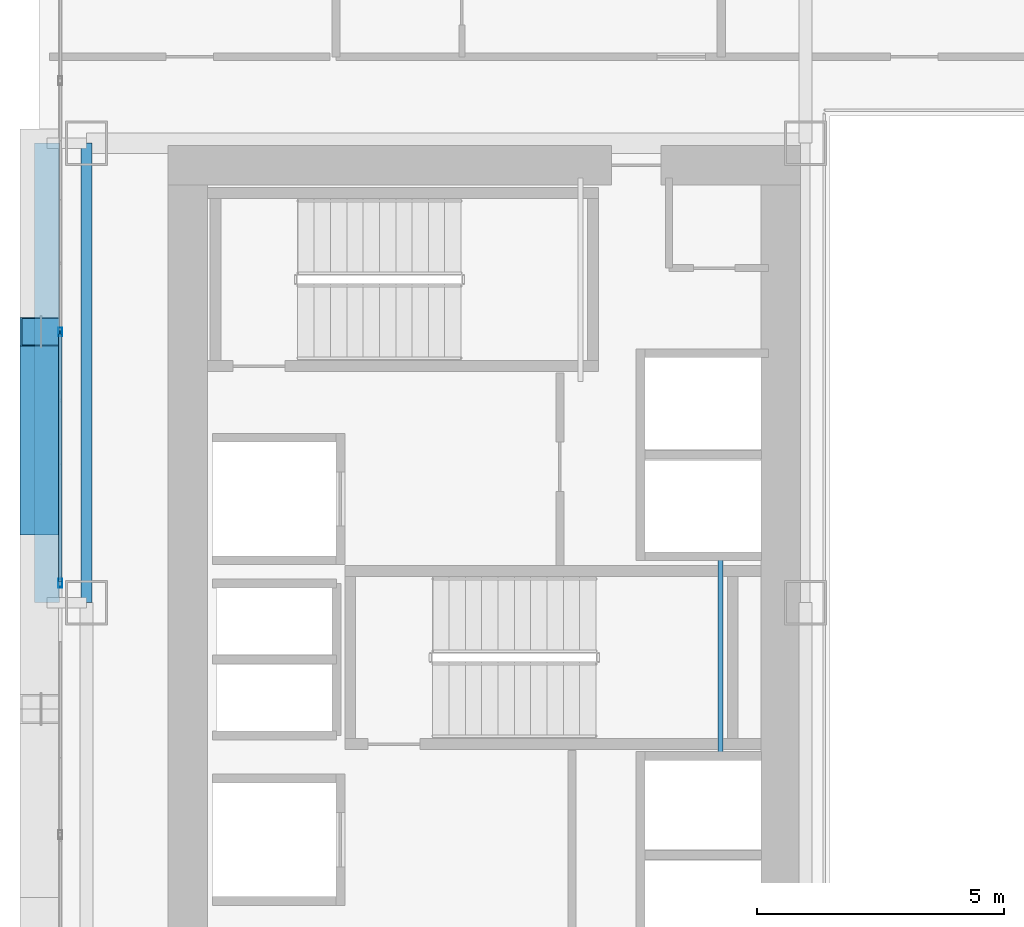
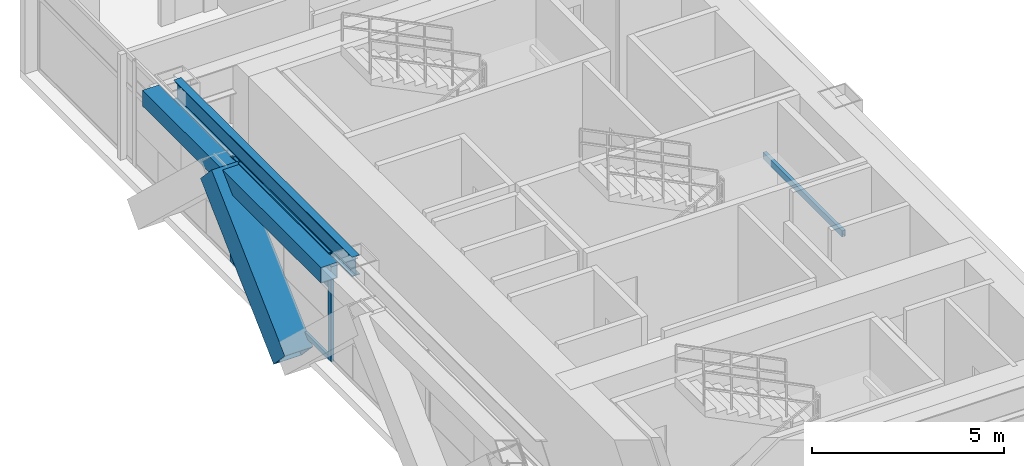
# One storey, part 8 of 35: 6 members, 3 beams, 1 element without a shape of its own.
"""IFC4 building model written with IfcOpenShell, lengths in metres."""

from ifc_helpers import new_model, si_unit, direction, frame, origin, origin_2d, place, context, subcontext, project, spatial, hollow_rectangle, i_section, extrude, source, transform, mapped, material, layer, layer_set, material_profile, profile_set, type_object, element, aggregate, save


model = new_model("IFC4")

# Units and contexts
model_context = context("Model", 3, precision=1e-05, world=origin(), true_north=direction((0.0, 1.0)))
body_context = subcontext(model_context, "Body", "Model", "MODEL_VIEW")
ifc_project = project(units=[si_unit("LENGTHUNIT", "METRE"), si_unit("AREAUNIT", "SQUARE_METRE"), si_unit("VOLUMEUNIT", "CUBIC_METRE"), si_unit("PLANEANGLEUNIT", "RADIAN"), si_unit("MASSUNIT", "GRAM", prefix="KILO")], contexts=[model_context])

# Site, building, storey
site_placement = place(None, origin())
site = spatial("IfcSite", under=ifc_project, at=site_placement, CompositionType="ELEMENT")
building_placement = place(site_placement, origin())
building = spatial("IfcBuilding", under=site, at=building_placement, Name="Ocotamira Hotel", CompositionType="ELEMENT")
storey_placement = place(building_placement, frame((0.0, 0.0, 63.60009765625)))
storey = spatial("IfcBuildingStorey", under=building, at=storey_placement, Name="L15", CompositionType="ELEMENT", Elevation=63.60009765625)

# Beams
ifc_material_1 = material(Name="Steel ASTM A500 Grade C", Category="steel")
ifc_material_profile_1 = material_profile(ifc_material_1, hollow_rectangle(XDim=0.10009765625, YDim=0.199951171875, WallThickness=0.008056640625, at=origin_2d()), Name="HSS200X100X8")
ifc_profile_set_1 = profile_set([ifc_material_profile_1], Name="Steel ASTM A500 Grade C")
beam_type_1 = type_object("IfcBeamType", Name="BM-STLDG-HSS200", PredefinedType="BEAM", material=ifc_profile_set_1)
shared_shape_1 = source(origin(), body_context, "Body", "SweptSolid", [
    extrude(hollow_rectangle(XDim=0.10009765625, YDim=0.199951171875, WallThickness=0.008056640625, at=origin_2d()), origin(), (0.0, 0.0, 1.0), 4.1201171875),
])
beam_1_placement = place(storey_placement, frame((21.780029296875, 24.97998046875, 1.5), z_axis=(0.0, 1.0, 0.0), x_axis=(-1.0, 0.0, 0.0)))
element("IfcBeam", 1, at=beam_1_placement, inside=storey, type_object=beam_type_1, Name="L15 Stair ST-3 Landing Bearer 1", PredefinedType="BEAM", context=body_context, shape_type="MappedRepresentation", body=[
    mapped(shared_shape_1, transform((0.0, 0.0, 0.0), scale=1.0)),
])
ifc_material_2 = material(Name="Steel ASTM A992 Grade 50", Category="steel")
ifc_material_profile_2 = material_profile(ifc_material_2, i_section(OverallWidth=0.22998046875, OverallDepth=0.616943359375, WebThickness=0.01318359375, FlangeThickness=0.022216796875, FilletRadius=0.012939453125, at=origin_2d()), Name="W24X94")
ifc_profile_set_2 = profile_set([ifc_material_profile_2], Name="Steel ASTM A992 Grade 50")
beam_type_2 = type_object("IfcBeamType", Name="BM-PRIM-W24X94", PredefinedType="BEAM", material=ifc_profile_set_2)
shared_shape_2 = source(origin(), body_context, "Body", "SweptSolid", [
    extrude(i_section(OverallWidth=0.22998046875, OverallDepth=0.616943359375, WebThickness=0.01318359375, FlangeThickness=0.022216796875, FilletRadius=0.012939453125, at=origin_2d()), origin(), (0.0, 0.0, 1.0), 9.300048828125),
])
beam_2_placement = place(storey_placement, frame((8.949951171875, 28.14990234375, 3.04150390625), z_axis=(0.0, 1.0, 0.0), x_axis=(-1.0, 0.0, 0.0)))
element("IfcBeam", 2, at=beam_2_placement, inside=storey, type_object=beam_type_2, Name="L15 Beam X8.95 Y28.15-37.45", PredefinedType="BEAM", context=body_context, shape_type="MappedRepresentation", body=[
    mapped(shared_shape_2, transform((0.0, 0.0, 0.0), scale=1.0)),
])
ifc_material_profile_3 = material_profile(ifc_material_1, hollow_rectangle(XDim=0.5, YDim=0.5, WallThickness=0.02001953125, at=origin_2d()), Name="HSS500X500X20")
ifc_profile_set_3 = profile_set([ifc_material_profile_3], Name="Steel ASTM A500 Grade C")
beam_type_3 = type_object("IfcBeamType", Name="BM-SPAN-HSS500", PredefinedType="USERDEFINED", material=ifc_profile_set_3)
shared_shape_3 = source(origin(), body_context, "Body", "SweptSolid", [
    extrude(hollow_rectangle(XDim=0.5, YDim=0.5, WallThickness=0.02001953125, at=origin_2d()), origin(), (0.0, 0.0, 1.0), 9.300048828125),
])
beam_3_placement = place(storey_placement, frame((8.14990234375, 28.14990234375, 3.099853515625), z_axis=(0.0, 1.0, 0.0), x_axis=(-1.0, 0.0, 0.0)))
element("IfcBeam", 3, at=beam_3_placement, inside=storey, type_object=beam_type_3, Name="L15 Edge Spandrel W Y28.15-37.45", ObjectType="SPANDREL", PredefinedType="USERDEFINED", context=body_context, shape_type="MappedRepresentation", body=[
    mapped(shared_shape_3, transform((0.0, 0.0, 0.0), scale=1.0)),
])

# Member
ifc_material_3 = material(Name="Pale-metal coated steel ASTM A913 Grade 65", Category="steel")
ifc_material_profile_4 = material_profile(ifc_material_3, hollow_rectangle(XDim=0.85009765625, YDim=0.85009765625, WallThickness=0.035888671875, at=origin_2d()), Name="BOX850X850X36")
ifc_profile_set_4 = profile_set([ifc_material_profile_4], Name="Pale-metal coated steel ASTM A913 Grade 65")
member_type_1 = type_object("IfcMemberType", Name="MEM-EXO-BOX850", PredefinedType="BRACE", material=ifc_profile_set_4)
shared_shape_4 = source(origin(), body_context, "Body", "SweptSolid", [
    extrude(hollow_rectangle(XDim=0.85009765625, YDim=0.85009765625, WallThickness=0.035888671875, at=origin_2d()), origin(), (0.0, 0.0, 1.0), 5.24658203125),
])
member_1_placement = place(storey_placement, frame((8.030029296875, 29.816650390625, -0.5), z_axis=(0.0, 0.72746596067, 0.686143772154), x_axis=(-1.0, 0.0, 0.0)))
element("IfcMember", 4, at=member_1_placement, inside=storey, type_object=member_type_1, Name="L15 Exoskeleton Diagrid W2.1", PredefinedType="BRACE", context=body_context, shape_type="MappedRepresentation", body=[
    mapped(shared_shape_4, transform((0.0, 0.0, 0.0), scale=1.0)),
])

# Curtain wall, members
ifc_material_4 = material(Name="Anodised pale-metal aluminium and solar glass", Category="aluminium")
ifc_layer = layer(ifc_material_4, 0.179931640625)
ifc_layer_set = layer_set([ifc_layer], Name="Anodised pale-metal aluminium and solar glass")
curtain_wall_type = type_object("IfcCurtainWallType", Name="CW-SYS2-Z1", PredefinedType="NOTDEFINED", material=ifc_layer_set)
curtain_wall_placement = place(storey_placement, origin())
curtain_wall = element("IfcCurtainWall", 5, at=curtain_wall_placement, inside=storey, type_object=curtain_wall_type, Name="L15 Curtain Wall CW-2 CW-L15-W", PredefinedType="NOTDEFINED")
ifc_material_5 = material(Name="Anodised pale-metal aluminium 6063-T6", Category="aluminium")
ifc_material_profile_5 = material_profile(ifc_material_5, hollow_rectangle(XDim=0.080078125, YDim=0.179931640625, WallThickness=0.006103515625, at=origin_2d()), Name="HSS180X80X6")
ifc_profile_set_5 = profile_set([ifc_material_profile_5], Name="Anodised pale-metal aluminium 6063-T6")
member_type_2 = type_object("IfcMemberType", Name="CWM-180X75", PredefinedType="MULLION", material=ifc_profile_set_5)
shared_shape_5 = source(origin(), body_context, "Body", "SweptSolid", [
    extrude(hollow_rectangle(XDim=0.080078125, YDim=0.179931640625, WallThickness=0.006103515625, at=origin_2d()), origin(), (0.0, 0.0, 1.0), 3.349853515625),
])
member_2_placement = place(storey_placement, frame((8.419921875, 28.54296875, 0.0), z_axis=(0.0, 0.0, 1.0), x_axis=(-1.0, 0.0, 0.0)))
member_2 = element("IfcMember", 6, at=member_2_placement, type_object=member_type_2, Name="CW-2 mullion 5", PredefinedType="MULLION", context=body_context, shape_type="MappedRepresentation", body=[
    mapped(shared_shape_5, transform((0.0, 0.0, 0.0), scale=1.0)),
])
member_3_placement = place(storey_placement, frame((8.419921875, 33.628662109375, 0.0), z_axis=(0.0, 0.0, 1.0), x_axis=(-1.0, 0.0, 0.0)))
member_3 = element("IfcMember", 7, at=member_3_placement, type_object=member_type_2, Name="CW-2 mullion 6", PredefinedType="MULLION", context=body_context, shape_type="MappedRepresentation", body=[
    mapped(shared_shape_5, transform((0.0, 0.0, 0.0), scale=1.0)),
])
ifc_material_profile_6 = material_profile(ifc_material_5, hollow_rectangle(XDim=0.074951171875, YDim=0.14990234375, WallThickness=0.006103515625, at=origin_2d()), Name="HSS150X75X6")
ifc_profile_set_6 = profile_set([ifc_material_profile_6], Name="Anodised pale-metal aluminium 6063-T6")
member_type_3 = type_object("IfcMemberType", Name="CWT-150X75", PredefinedType="USERDEFINED", material=ifc_profile_set_6)
shared_shape_6 = source(origin(), body_context, "Body", "SweptSolid", [
    extrude(hollow_rectangle(XDim=0.074951171875, YDim=0.14990234375, WallThickness=0.006103515625, at=origin_2d()), origin(), (0.0, 0.0, 1.0), 5.005859375),
])
member_4_placement = place(storey_placement, frame((8.419921875, 28.582763671875, 0.037353515625), z_axis=(0.0, 1.0, 0.0), x_axis=(-1.0, 0.0, 0.0)))
member_4 = element("IfcMember", 8, at=member_4_placement, type_object=member_type_3, Name="CW-2 transom 5.1", ObjectType="TRANSOM", PredefinedType="USERDEFINED", context=body_context, shape_type="MappedRepresentation", body=[
    mapped(shared_shape_6, transform((0.0, 0.0, 0.0), scale=1.0)),
])
member_5_placement = place(storey_placement, frame((8.419921875, 28.582763671875, 2.349853515625), z_axis=(0.0, 1.0, 0.0), x_axis=(-1.0, 0.0, 0.0)))
member_5 = element("IfcMember", 9, at=member_5_placement, type_object=member_type_3, Name="CW-2 transom 5.2", ObjectType="TRANSOM", PredefinedType="USERDEFINED", context=body_context, shape_type="MappedRepresentation", body=[
    mapped(shared_shape_6, transform((0.0, 0.0, 0.0), scale=1.0)),
])
member_6_placement = place(storey_placement, frame((8.419921875, 28.582763671875, 3.3125), z_axis=(0.0, 1.0, 0.0), x_axis=(-1.0, 0.0, 0.0)))
member_6 = element("IfcMember", 10, at=member_6_placement, type_object=member_type_3, Name="CW-2 transom 5.3", ObjectType="TRANSOM", PredefinedType="USERDEFINED", context=body_context, shape_type="MappedRepresentation", body=[
    mapped(shared_shape_6, transform((0.0, 0.0, 0.0), scale=1.0)),
])
aggregate(curtain_wall, [member_2, member_3, member_4, member_5, member_6])

save(model, "model.ifc")
